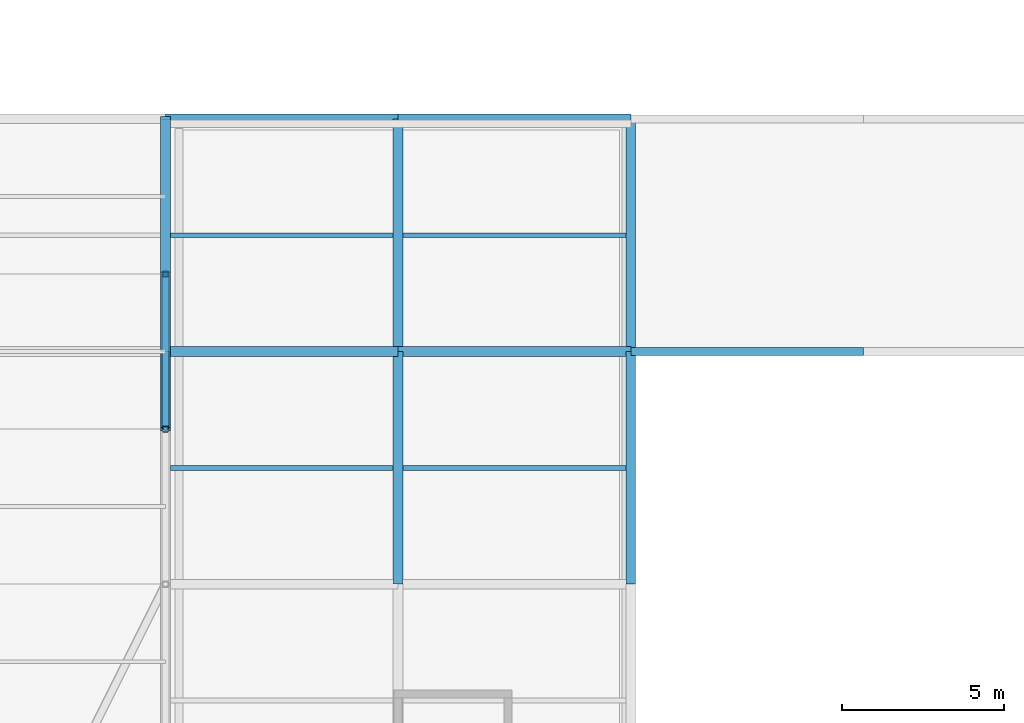
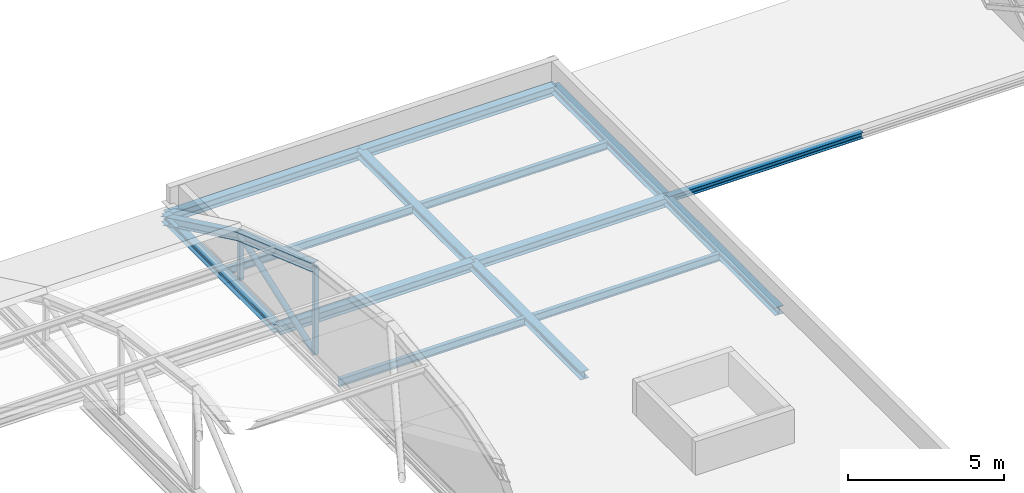
# One storey, part 30 of 103: 14 beams, 5 members.
"""IFC4 building model written with IfcOpenShell, lengths in metres."""

import ifcopenshell
import ifcopenshell.guid

model = None  # the IFC model being written
_history = None  # IfcOwnerHistory: only IFC2X3 demands one
_inside = {}  # id of a spatial element -> (the spatial element, [elements in it])
_under = {}  # id of a project, library or spatial element -> (it, [spatial elements below it])
_declared = {}  # id of a project -> (the project, [libraries it declares])
_typed = {}  # id of a type object -> (the type object, [elements of that type])
_made_of = {}  # id of a material, layer set ... -> (it, [elements and type objects made of it])


def new_model(schema):
    """Start an empty IFC model of exactly this schema.

    Asked for "IFC4X3", IfcOpenShell would pick the latest addendum, in which some entities
    have other attributes; the version numbers below select the first issue.
    IFC2X3 requires an IfcOwnerHistory on every rooted entity: one is made here for all.
    """
    global model, _history
    if schema == "IFC4X3":
        model = ifcopenshell.file(schema_version=(4, 3, 0, 0))
    else:
        model = ifcopenshell.file(schema=schema)
    _inside.clear()
    _under.clear()
    _declared.clear()
    _typed.clear()
    _made_of.clear()
    _history = None
    if model.schema == "IFC2X3":
        org = make("IfcOrganization", Name="unknown")
        user = make(
            "IfcPersonAndOrganization",
            ThePerson=make("IfcPerson", FamilyName="unknown"),
            TheOrganization=org,
        )
        app = make(
            "IfcApplication",
            ApplicationDeveloper=org,
            Version="unknown",
            ApplicationFullName="unknown",
            ApplicationIdentifier="unknown",
        )
        _history = make(
            "IfcOwnerHistory",
            OwningUser=user,
            OwningApplication=app,
            ChangeAction="ADDED",
            CreationDate=0,
        )
    return model


def make(cls, **values):
    """One entity of the class cls with the attributes given. An attribute that is None is left unset."""
    return model.create_entity(
        cls, **{name: value for name, value in values.items() if value is not None}
    )


def rooted(cls, **values):
    """An entity with a GlobalId (a new one), such as an element, a storey or a relation."""
    return make(cls, GlobalId=ifcopenshell.guid.new(), OwnerHistory=_history, **values)


def si_unit(unit_type, name, prefix=None):
    """IfcSIUnit, for example si_unit("LENGTHUNIT", "METRE", prefix="MILLI")."""
    return make("IfcSIUnit", UnitType=unit_type, Prefix=prefix, Name=name)


def assignment(units):
    """IfcUnitAssignment: the units of a project."""
    return None if units is None else make("IfcUnitAssignment", Units=units)


def point(xyz):
    """IfcCartesianPoint."""
    return None if xyz is None else make("IfcCartesianPoint", Coordinates=xyz)


def direction(xyz):
    """IfcDirection."""
    return None if xyz is None else make("IfcDirection", DirectionRatios=xyz)


def frame(location, z_axis=None, x_axis=None):
    """IfcAxis2Placement3D, a coordinate frame: its origin and axes. An axis left out is left unset."""
    return make(
        "IfcAxis2Placement3D",
        Location=point(location),
        Axis=direction(z_axis),
        RefDirection=direction(x_axis),
    )


def frame_2d(location, x_axis=None):
    """IfcAxis2Placement2D, a coordinate frame in the plane: its origin and x axis."""
    return make(
        "IfcAxis2Placement2D", Location=point(location), RefDirection=direction(x_axis)
    )


def origin():
    """The frame at (0, 0, 0) with its axes left unset."""
    return frame((0.0, 0.0, 0.0))


def origin_2d():
    """The frame at (0, 0) in the plane with its x axis left unset."""
    return frame_2d((0.0, 0.0))


def place(relative_to, where):
    """IfcLocalPlacement: puts the frame where relative to a parent placement (None: the world)."""
    return make(
        "IfcLocalPlacement", PlacementRelTo=relative_to, RelativePlacement=where
    )


def context(
    kind, dimensions, precision=None, world=None, true_north=None, identifier=None
):
    """IfcGeometricRepresentationContext, for example the 3D "Model" context."""
    return make(
        "IfcGeometricRepresentationContext",
        ContextIdentifier=identifier,
        ContextType=kind,
        CoordinateSpaceDimension=dimensions,
        Precision=precision,
        WorldCoordinateSystem=world,
        TrueNorth=true_north,
    )


def subcontext(parent, identifier, kind, view, scale=None):
    """IfcGeometricRepresentationSubContext, for example "Body" below "Model"."""
    return make(
        "IfcGeometricRepresentationSubContext",
        ContextIdentifier=identifier,
        ContextType=kind,
        ParentContext=parent,
        TargetScale=scale,
        TargetView=view,
    )


def project(units=None, contexts=None):
    """IfcProject with its units and contexts."""
    return rooted(
        "IfcProject",
        Name="project",
        RepresentationContexts=contexts,
        UnitsInContext=assignment(units),
    )


def spatial(cls, under=None, at=None, **own):
    """A site, building, storey or space (cls), placed at a placement, below another one or the project."""
    s = rooted(cls, ObjectPlacement=at, **own)
    if under is not None:
        _under.setdefault(under.id(), (under, []))[1].append(s)
    return s


def profile(cls, at=None, kind="AREA", **sizes):
    """A parametric profile (cls). Its sizes go by their IFC names, for example OverallWidth=200.0."""
    return make(cls, ProfileType=kind, Position=at, **sizes)


def hollow_rectangle(**sizes):
    """IfcRectangleHollowProfileDef."""
    return profile("IfcRectangleHollowProfileDef", **sizes)


def hollow_circle(**sizes):
    """IfcCircleHollowProfileDef."""
    return profile("IfcCircleHollowProfileDef", **sizes)


def i_section(**sizes):
    """IfcIShapeProfileDef."""
    return profile("IfcIShapeProfileDef", **sizes)


def extrude(swept, where, along, depth):
    """IfcExtrudedAreaSolid: the profile swept, set in the frame where, extruded along a direction by depth."""
    return make(
        "IfcExtrudedAreaSolid",
        SweptArea=swept,
        Position=where,
        ExtrudedDirection=direction(along),
        Depth=depth,
    )


def shape(context_of_items, identifier, shape_type, items):
    """IfcShapeRepresentation: the items that make up one representation, for example the "Body"."""
    return make(
        "IfcShapeRepresentation",
        ContextOfItems=context_of_items,
        RepresentationIdentifier=identifier,
        RepresentationType=shape_type,
        Items=items,
    )


def material(Name=None, Category=None):
    """IfcMaterial."""
    return make("IfcMaterial", Name=Name, Category=Category)


def material_profile(
    of_material, cross_section, Name=None, Category=None, Priority=None
):
    """IfcMaterialProfile: a cross section and its material."""
    return make(
        "IfcMaterialProfile",
        Name=Name,
        Material=of_material,
        Profile=cross_section,
        Priority=Priority,
        Category=Category,
    )


def profile_set(profiles, Name=None, composite=None):
    """IfcMaterialProfileSet."""
    return make(
        "IfcMaterialProfileSet",
        Name=Name,
        MaterialProfiles=profiles,
        CompositeProfile=composite,
    )


def made_of(thing, what):
    """Note that an element or type object is made of a material, layer set ...; save() writes the relation."""
    if what is not None:
        _made_of.setdefault(what.id(), (what, []))[1].append(thing)
    return thing


def type_object(cls, material=None, **own):
    """A type object (cls), such as IfcWallType, which elements share."""
    return made_of(rooted(cls, **own), material)


def element(
    cls,
    number,
    at=None,
    inside=None,
    cuts=None,
    type_object=None,
    material=None,
    context=None,
    identifier="Body",
    shape_type=None,
    held_by="IfcProductDefinitionShape",
    body=None,
    shapes=None,
    **own,
):
    """One element of the class cls, such as IfcWall. Its Tag is "e" and its number.

    at: its placement. inside: the storey or other place that contains it. cuts: it is an
    opening in that element (IfcRelVoidsElement). A single representation is given by context,
    identifier, shape_type and body (its items); several are given by shapes. held_by: the class
    of the entity that holds the representations. save() writes the other relations.
    """
    e = rooted(cls, Tag="e%d" % number, ObjectPlacement=at, **own)
    if body is not None:
        shapes = [shape(context, identifier, shape_type, body)]
    if shapes is not None:
        e.Representation = make(held_by, Representations=shapes)
    if inside is not None:
        _inside.setdefault(inside.id(), (inside, []))[1].append(e)
    if cuts is not None:
        rooted(
            "IfcRelVoidsElement", RelatingBuildingElement=cuts, RelatedOpeningElement=e
        )
    if type_object is not None:
        _typed.setdefault(type_object.id(), (type_object, []))[1].append(e)
    return made_of(e, material)


def aggregate(whole, parts):
    """IfcRelAggregates: a whole, such as a stair, and the parts it consists of."""
    return rooted("IfcRelAggregates", RelatingObject=whole, RelatedObjects=parts)


def save(model, path):
    """Write the relations noted so far, then the file.

    IfcRelAggregates (storeys below a building ...), IfcRelContainedInSpatialStructure (elements
    in a storey), IfcRelDefinesByType, IfcRelAssociatesMaterial and IfcRelDeclares: one each for
    every whole, place, type object, material and project.
    """
    for whole, parts in _under.values():
        aggregate(whole, parts)
    for where, things in _inside.values():
        rooted(
            "IfcRelContainedInSpatialStructure",
            RelatedElements=things,
            RelatingStructure=where,
        )
    for kind, things in _typed.values():
        rooted("IfcRelDefinesByType", RelatedObjects=things, RelatingType=kind)
    for what, things in _made_of.values():
        rooted("IfcRelAssociatesMaterial", RelatedObjects=things, RelatingMaterial=what)
    for by, libraries in _declared.values():
        rooted("IfcRelDeclares", RelatingContext=by, RelatedDefinitions=libraries)
    model.write(path)


model = new_model("IFC4")

# Units and contexts
model_context = context("Model", 3, precision=1e-05, world=origin(), true_north=direction((0.0, 1.0)))
body_context = subcontext(model_context, "Body", "Model", "MODEL_VIEW")
ifc_project = project(units=[si_unit("LENGTHUNIT", "METRE"), si_unit("AREAUNIT", "SQUARE_METRE"), si_unit("VOLUMEUNIT", "CUBIC_METRE"), si_unit("PLANEANGLEUNIT", "RADIAN"), si_unit("MASSUNIT", "GRAM", prefix="KILO")], contexts=[model_context])

# Site, building, storey
site_placement = place(None, origin())
site = spatial("IfcSite", under=ifc_project, at=site_placement, CompositionType="ELEMENT")
building_placement = place(site_placement, origin())
building = spatial("IfcBuilding", under=site, at=building_placement, Name="Zlatovets Crest Museum", CompositionType="ELEMENT")
storey_placement = place(building_placement, frame((0.0, 0.0, 12.89990234375)))
storey = spatial("IfcBuildingStorey", under=building, at=storey_placement, Name="L03", CompositionType="ELEMENT", Elevation=12.89990234375)

# Beams
ifc_material = material(Name="Structural steel S355J2", Category="steel")
ifc_material_profile_1 = material_profile(ifc_material, i_section(OverallWidth=0.300048828125, OverallDepth=0.35009765625, WebThickness=0.010009765625, FlangeThickness=0.017578125, FilletRadius=0.027099609375, at=origin_2d()), Name="HEA 360")
ifc_profile_set_1 = profile_set([ifc_material_profile_1], Name="Structural steel S355J2")
beam_type_1 = type_object("IfcBeamType", Name="Beam_B-03", PredefinedType="BEAM", material=ifc_profile_set_1)
for number, where, z_axis, x_axis, name in (
    (1, (28.800048828125, 21.60009765625, -0.39501953125), (1.0, 0.0, 0.0), (0.0, 1.0, 0.0), "V3 L03 Primary Girder B-03"),
    (2, (36.0, 21.60009765625, -0.39501953125), (1.0, 0.0, 0.0), (0.0, 1.0, 0.0), "V3 L03 Primary Girder B-03"),
    (3, (28.800048828125, 28.800048828125, -0.39501953125), (1.0, 0.0, 0.0), (0.0, 1.0, 0.0), "V3 L03 Primary Girder B-03"),
    (4, (36.0, 28.800048828125, -0.39501953125), (1.0, 0.0, 0.0), (0.0, 1.0, 0.0), "V3 L03 Primary Girder B-03"),
):
    element("IfcBeam", number, at=place(storey_placement, frame(where, z_axis=z_axis, x_axis=x_axis)), inside=storey, type_object=beam_type_1, Name=name, PredefinedType="BEAM", context=body_context, shape_type="SweptSolid", body=[
        extrude(i_section(OverallWidth=0.300048828125, OverallDepth=0.35009765625, WebThickness=0.010009765625, FlangeThickness=0.017578125, FilletRadius=0.027099609375, at=origin_2d()), origin(), (0.0, 0.0, 1.0), 7.199951171875),
    ])
ifc_material_profile_2 = material_profile(ifc_material, i_section(OverallWidth=0.300048828125, OverallDepth=0.31005859375, WebThickness=0.009033203125, FlangeThickness=0.015380859375, FilletRadius=0.027099609375, at=origin_2d()), Name="HEA 320")
ifc_profile_set_2 = profile_set([ifc_material_profile_2], Name="Structural steel S355J2")
beam_type_2 = type_object("IfcBeamType", Name="Beam_B-04", PredefinedType="BEAM", material=ifc_profile_set_2)
beam_1_placement = place(storey_placement, frame((28.800048828125, 21.60009765625, -0.375), z_axis=(0.0, 1.0, 0.0), x_axis=(-1.0, 0.0, 0.0)))
element("IfcBeam", 5, at=beam_1_placement, inside=storey, type_object=beam_type_2, Name="V3 L03 Grid Beam B-04", PredefinedType="BEAM", context=body_context, shape_type="SweptSolid", body=[
    extrude(i_section(OverallWidth=0.300048828125, OverallDepth=0.31005859375, WebThickness=0.009033203125, FlangeThickness=0.015380859375, FilletRadius=0.027099609375, at=origin_2d()), origin(), (0.0, 0.0, 1.0), 7.199951171875),
])
beam_2_placement = place(storey_placement, frame((36.0, 14.39990234375, -0.375), z_axis=(0.0, 1.0, 0.0), x_axis=(-1.0, 0.0, 0.0)))
element("IfcBeam", 6, at=beam_2_placement, inside=storey, type_object=beam_type_2, Name="V3 L03 Grid Beam B-04", PredefinedType="BEAM", context=body_context, shape_type="SweptSolid", body=[
    extrude(i_section(OverallWidth=0.300048828125, OverallDepth=0.31005859375, WebThickness=0.009033203125, FlangeThickness=0.015380859375, FilletRadius=0.027099609375, at=origin_2d()), origin(), (0.0, 0.0, 1.0), 7.2001953125),
])
beam_3_placement = place(storey_placement, frame((36.0, 21.60009765625, -0.375), z_axis=(0.0, 1.0, 0.0), x_axis=(-1.0, 0.0, 0.0)))
element("IfcBeam", 7, at=beam_3_placement, inside=storey, type_object=beam_type_2, Name="V3 L03 Grid Beam B-04", PredefinedType="BEAM", context=body_context, shape_type="SweptSolid", body=[
    extrude(i_section(OverallWidth=0.300048828125, OverallDepth=0.31005859375, WebThickness=0.009033203125, FlangeThickness=0.015380859375, FilletRadius=0.027099609375, at=origin_2d()), origin(), (0.0, 0.0, 1.0), 7.199951171875),
])
beam_4_placement = place(storey_placement, frame((43.199951171875, 14.39990234375, -0.375), z_axis=(0.0, 1.0, 0.0), x_axis=(-1.0, 0.0, 0.0)))
element("IfcBeam", 8, at=beam_4_placement, inside=storey, type_object=beam_type_2, Name="V3 L03 Grid Beam B-04", PredefinedType="BEAM", context=body_context, shape_type="SweptSolid", body=[
    extrude(i_section(OverallWidth=0.300048828125, OverallDepth=0.31005859375, WebThickness=0.009033203125, FlangeThickness=0.015380859375, FilletRadius=0.027099609375, at=origin_2d()), origin(), (0.0, 0.0, 1.0), 7.2001953125),
])
beam_5_placement = place(storey_placement, frame((43.199951171875, 21.60009765625, -0.375), z_axis=(0.0, 1.0, 0.0), x_axis=(-1.0, 0.0, 0.0)))
element("IfcBeam", 9, at=beam_5_placement, inside=storey, type_object=beam_type_2, Name="V3 L03 Grid Beam B-04", PredefinedType="BEAM", context=body_context, shape_type="SweptSolid", body=[
    extrude(i_section(OverallWidth=0.300048828125, OverallDepth=0.31005859375, WebThickness=0.009033203125, FlangeThickness=0.015380859375, FilletRadius=0.027099609375, at=origin_2d()), origin(), (0.0, 0.0, 1.0), 7.199951171875),
])
ifc_material_profile_3 = material_profile(ifc_material, i_section(OverallWidth=0.239990234375, OverallDepth=0.22998046875, WebThickness=0.007568359375, FlangeThickness=0.011962890625, FilletRadius=0.02099609375, at=origin_2d()), Name="HEA 240")
ifc_profile_set_3 = profile_set([ifc_material_profile_3], Name="Structural steel S355J2")
beam_type_3 = type_object("IfcBeamType", Name="Beam_B-06", PredefinedType="BEAM", material=ifc_profile_set_3)
beam_6_placement = place(storey_placement, frame((43.199951171875, 21.60009765625, -0.3349609375), z_axis=(1.0, 0.0, 0.0), x_axis=(0.0, 1.0, 0.0)))
element("IfcBeam", 10, at=beam_6_placement, inside=storey, type_object=beam_type_3, Name="South Forecourt Glazed Link Bridge Roof Edge Beam", PredefinedType="BEAM", context=body_context, shape_type="SweptSolid", body=[
    extrude(i_section(OverallWidth=0.239990234375, OverallDepth=0.22998046875, WebThickness=0.007568359375, FlangeThickness=0.011962890625, FilletRadius=0.02099609375, at=origin_2d()), origin(), (0.0, 0.0, 1.0), 7.199951171875),
])
ifc_material_profile_4 = material_profile(ifc_material, i_section(OverallWidth=0.14990234375, OverallDepth=0.300048828125, WebThickness=0.007080078125, FlangeThickness=0.0107421875, FilletRadius=0.014892578125, at=origin_2d()), Name="IPE 300")
ifc_profile_set_4 = profile_set([ifc_material_profile_4], Name="Structural steel S355J2")
beam_type_4 = type_object("IfcBeamType", Name="Beam_J-02", PredefinedType="JOIST", material=ifc_profile_set_4)
for number, where, z_axis, x_axis, name in (
    (11, (28.949951171875, 18.0, -0.369873046875), (1.0, 0.0, 0.0), (0.0, 1.0, 0.0), "V3 L03 Composite Joist J-02"),
    (12, (28.949951171875, 25.199951171875, -0.369873046875), (1.0, 0.0, 0.0), (0.0, 1.0, 0.0), "V3 L03 Composite Joist J-02"),
    (13, (36.14990234375, 18.0, -0.369873046875), (1.0, 0.0, 0.0), (0.0, 1.0, 0.0), "V3 L03 Composite Joist J-02"),
    (14, (36.14990234375, 25.199951171875, -0.369873046875), (1.0, 0.0, 0.0), (0.0, 1.0, 0.0), "V3 L03 Composite Joist J-02"),
):
    element("IfcBeam", number, at=place(storey_placement, frame(where, z_axis=z_axis, x_axis=x_axis)), inside=storey, type_object=beam_type_4, Name=name, PredefinedType="JOIST", context=body_context, shape_type="SweptSolid", body=[
        extrude(i_section(OverallWidth=0.14990234375, OverallDepth=0.300048828125, WebThickness=0.007080078125, FlangeThickness=0.0107421875, FilletRadius=0.014892578125, at=origin_2d()), origin(), (0.0, 0.0, 1.0), 6.900146484375),
    ])

# Members
ifc_material_profile_5 = material_profile(ifc_material, i_section(OverallWidth=0.300048828125, OverallDepth=0.31005859375, WebThickness=0.009033203125, FlangeThickness=0.015380859375, FilletRadius=0.027099609375, at=origin_2d()), Name="HEA 320")
ifc_profile_set_5 = profile_set([ifc_material_profile_5], Name="Structural steel S355J2")
member_type_1 = type_object("IfcMemberType", Name="Member_TM-02", PredefinedType="RAFTER", material=ifc_profile_set_5)
member_1_placement = place(storey_placement, frame((28.800048828125, 19.199951171875, 3.48388671875), z_axis=(0.0, 0.943623917832, -0.331019488393), x_axis=(-1.0, 0.0, 0.0)))
element("IfcMember", 15, at=member_1_placement, inside=storey, type_object=member_type_1, Name="V3 Art Nouveau Curved Vault Rib", PredefinedType="RAFTER", context=body_context, shape_type="SweptSolid", body=[
    extrude(i_section(OverallWidth=0.300048828125, OverallDepth=0.31005859375, WebThickness=0.009033203125, FlangeThickness=0.015380859375, FilletRadius=0.027099609375, at=origin_2d()), origin(), (0.0, 0.0, 1.0), 5.0869140625),
])
member_2_placement = place(storey_placement, frame((28.800048828125, 24.0, 1.800048828125), z_axis=(0.0, 0.901814166789, -0.432124066188), x_axis=(-1.0, 0.0, 0.0)))
element("IfcMember", 16, at=member_2_placement, inside=storey, type_object=member_type_1, Name="V3 Art Nouveau Curved Vault Rib", PredefinedType="RAFTER", context=body_context, shape_type="SweptSolid", body=[
    extrude(i_section(OverallWidth=0.300048828125, OverallDepth=0.31005859375, WebThickness=0.009033203125, FlangeThickness=0.015380859375, FilletRadius=0.027099609375, at=origin_2d()), origin(), (0.0, 0.0, 1.0), 5.32275390625),
])
ifc_material_profile_6 = material_profile(ifc_material, hollow_rectangle(XDim=0.179931640625, YDim=0.179931640625, WallThickness=0.010009765625, InnerFilletRadius=0.010009765625, OuterFilletRadius=0.02001953125, at=origin_2d()), Name="SHS 180x180x10.0")
ifc_profile_set_6 = profile_set([ifc_material_profile_6], Name="Structural steel S355J2")
member_type_2 = type_object("IfcMemberType", Name="Member_TM-04", PredefinedType="STRUT", material=ifc_profile_set_6)
member_3_placement = place(storey_placement, frame((28.800048828125, 19.199951171875, 0.080078125), z_axis=(0.0, 0.0, 1.0), x_axis=(1.0, 0.0, 0.0)))
element("IfcMember", 17, at=member_3_placement, inside=storey, type_object=member_type_2, Name="V3 Barrel Vault Web Strut", PredefinedType="STRUT", context=body_context, shape_type="SweptSolid", body=[
    extrude(hollow_rectangle(XDim=0.179931640625, YDim=0.179931640625, WallThickness=0.010009765625, InnerFilletRadius=0.010009765625, OuterFilletRadius=0.02001953125, at=origin_2d()), origin(), (0.0, 0.0, 1.0), 3.40380859375),
])
member_4_placement = place(storey_placement, frame((28.800048828125, 24.0, 0.080078125), z_axis=(0.0, 0.0, 1.0), x_axis=(1.0, 0.0, 0.0)))
element("IfcMember", 18, at=member_4_placement, inside=storey, type_object=member_type_2, Name="V3 Barrel Vault Web Strut", PredefinedType="STRUT", context=body_context, shape_type="SweptSolid", body=[
    extrude(hollow_rectangle(XDim=0.179931640625, YDim=0.179931640625, WallThickness=0.010009765625, InnerFilletRadius=0.010009765625, OuterFilletRadius=0.02001953125, at=origin_2d()), origin(), (0.0, 0.0, 1.0), 1.719970703125),
])
ifc_material_profile_7 = material_profile(ifc_material, hollow_circle(Radius=0.109619140625, WallThickness=0.010009765625, at=origin_2d()), Name="CHS 219.1x10.0")
ifc_profile_set_7 = profile_set([ifc_material_profile_7], Name="Structural steel S355J2")
member_type_3 = type_object("IfcMemberType", Name="Member_TM-05", PredefinedType="BRACE", material=ifc_profile_set_7)
member_5_placement = place(storey_placement, frame((28.800048828125, 19.199951171875, 0.080078125), z_axis=(0.0, 0.941389329103, 0.337321999061), x_axis=(-1.0, 0.0, 0.0)))
element("IfcMember", 19, at=member_5_placement, inside=storey, type_object=member_type_3, Name="V3 Barrel Vault Web Diagonal", PredefinedType="BRACE", context=body_context, shape_type="SweptSolid", body=[
    extrude(hollow_circle(Radius=0.109619140625, WallThickness=0.010009765625, at=origin_2d()), origin(), (0.0, 0.0, 1.0), 5.098876953125),
])

save(model, "model.ifc")
